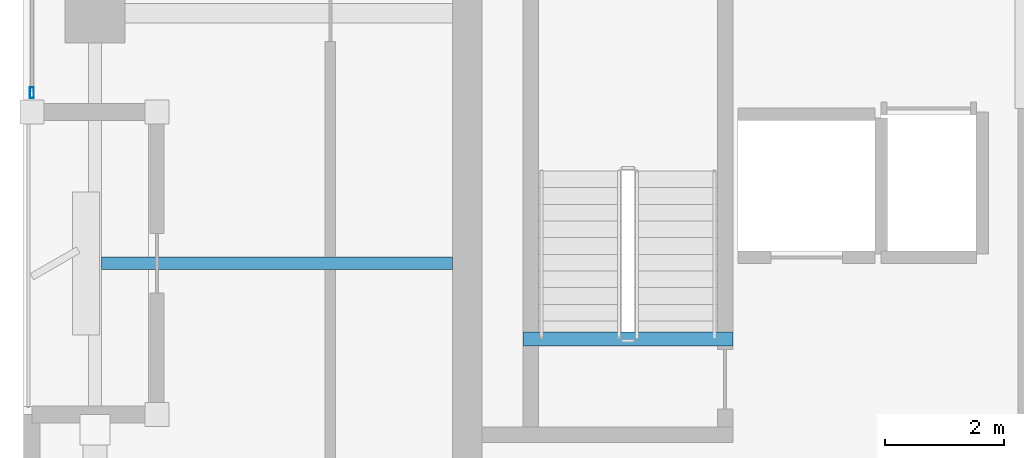
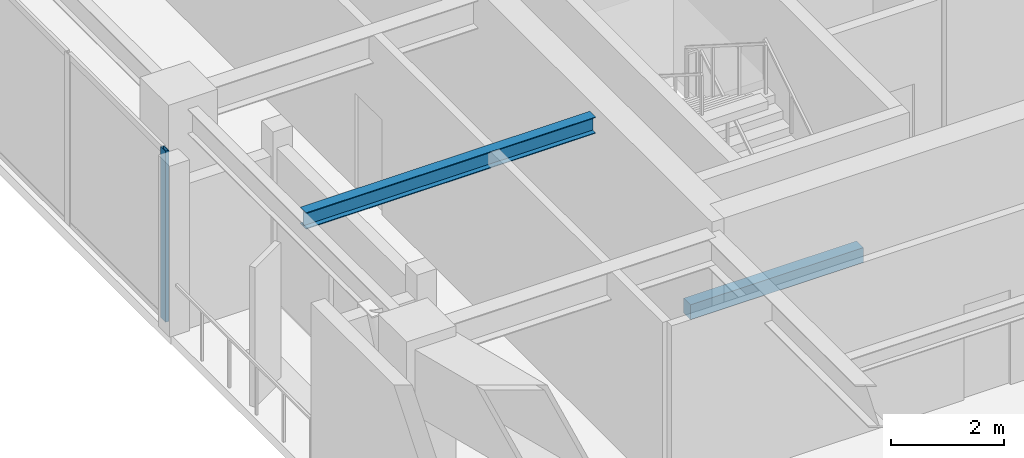
# One storey, part 2 of 15: 2 beams, 1 member, 1 element without a shape of its own.
"""IFC4 building model written with IfcOpenShell, lengths in metres."""

from ifc_helpers import new_model, si_unit, direction, frame, origin, origin_2d, place, context, subcontext, project, spatial, rectangle, hollow_rectangle, i_section, extrude, material, layer, layer_set, material_profile, profile_set, type_object, element, aggregate, save


model = new_model("IFC4")

# Units and contexts
model_context = context("Model", 3, precision=1e-05, world=origin(), true_north=direction((0.0, 1.0)))
body_context = subcontext(model_context, "Body", "Model", "MODEL_VIEW")
ifc_project = project(units=[si_unit("LENGTHUNIT", "METRE"), si_unit("AREAUNIT", "SQUARE_METRE"), si_unit("VOLUMEUNIT", "CUBIC_METRE"), si_unit("PLANEANGLEUNIT", "RADIAN"), si_unit("MASSUNIT", "GRAM", prefix="KILO")], contexts=[model_context])

# Site, building, storey
site_placement = place(None, origin())
site = spatial("IfcSite", under=ifc_project, at=site_placement, CompositionType="ELEMENT")
building_placement = place(site_placement, origin())
building = spatial("IfcBuilding", under=site, at=building_placement, Name="Kiyonajd Concourse Tower", CompositionType="ELEMENT")
storey_placement = place(building_placement, frame((0.0, 0.0, 270.60009765625)))
storey = spatial("IfcBuildingStorey", under=building, at=storey_placement, Name="L68", CompositionType="ELEMENT", Elevation=270.60009765625)

# Beams
ifc_material_1 = material(Name="Steel ASTM A992 Grade 50", Category="steel")
ifc_material_profile_1 = material_profile(ifc_material_1, i_section(OverallWidth=0.205078125, OverallDepth=0.35400390625, WebThickness=0.009521484375, FlangeThickness=0.016845703125, at=origin_2d()), Name="W360X79")
ifc_profile_set_1 = profile_set([ifc_material_profile_1], Name="Steel ASTM A992 Grade 50")
beam_type_1 = type_object("IfcBeamType", Name="BM-JST-360", PredefinedType="JOIST", material=ifc_profile_set_1)
beam_1_placement = place(storey_placement, frame((26.505615234375, 31.800048828125, 3.5029296875), z_axis=(1.0, 0.0, 0.0), x_axis=(0.0, 1.0, 0.0)))
element("IfcBeam", 1, at=beam_1_placement, inside=storey, type_object=beam_type_1, Name="L68 West Secondary Floor Joist", PredefinedType="JOIST", context=body_context, shape_type="SweptSolid", body=[
    extrude(i_section(OverallWidth=0.205078125, OverallDepth=0.35400390625, WebThickness=0.009521484375, FlangeThickness=0.016845703125, at=origin_2d()), origin(), (0.0, 0.0, 1.0), 5.894287109375),
])
ifc_material_2 = material(Name="Concrete C50/60", Category="concrete")
ifc_material_profile_2 = material_profile(ifc_material_2, rectangle(XDim=0.239990234375, YDim=0.320068359375, at=origin_2d()), Name="RCBM-240x320")
ifc_profile_set_2 = profile_set([ifc_material_profile_2], Name="Concrete C50/60")
beam_type_2 = type_object("IfcBeamType", Name="BM-LNT-250", PredefinedType="LINTEL", material=ifc_profile_set_2)
beam_2_placement = place(storey_placement, frame((33.590087890625, 30.530029296875, -0.16015625), z_axis=(1.0, 0.0, 0.0), x_axis=(0.0, 1.0, 0.0)))
element("IfcBeam", 2, at=beam_2_placement, inside=storey, type_object=beam_type_2, Name="L68 Stair ST1 Threshold Support Beam", PredefinedType="LINTEL", context=body_context, shape_type="SweptSolid", body=[
    extrude(rectangle(XDim=0.239990234375, YDim=0.320068359375, at=origin_2d()), origin(), (0.0, 0.0, 1.0), 3.52001953125),
])

# Curtain wall, member
ifc_material_3 = material(Name="Thermally Broken Anodised Aluminium", Category="aluminium")
ifc_layer = layer(ifc_material_3, 0.179931640625)
ifc_layer_set = layer_set([ifc_layer], Name="Thermally Broken Anodised Aluminium")
curtain_wall_type = type_object("IfcCurtainWallType", Name="CW-SYS-04", PredefinedType="NOTDEFINED", material=ifc_layer_set)
curtain_wall_placement = place(storey_placement, origin())
curtain_wall = element("IfcCurtainWall", 3, at=curtain_wall_placement, inside=storey, type_object=curtain_wall_type, Name="L68 Unitised Curtain Wall CW4", PredefinedType="NOTDEFINED")
ifc_material_profile_3 = material_profile(ifc_material_3, hollow_rectangle(XDim=0.06494140625, YDim=0.179931640625, WallThickness=0.00390625, at=origin_2d()), Name="MULL-65x180")
ifc_profile_set_3 = profile_set([ifc_material_profile_3], Name="Thermally Broken Anodised Aluminium")
member_type = type_object("IfcMemberType", Name="MB-CW-MULL1", PredefinedType="MULLION", material=ifc_profile_set_3)
member_placement = place(storey_placement, frame((25.340087890625, 34.66259765625, 0.0), z_axis=(0.0, 0.0, 1.0), x_axis=(-1.0, 0.0, 0.0)))
member = element("IfcMember", 4, at=member_placement, type_object=member_type, Name="CW4 mullion 1", PredefinedType="MULLION", context=body_context, shape_type="SweptSolid", body=[
    extrude(hollow_rectangle(XDim=0.06494140625, YDim=0.179931640625, WallThickness=0.00390625, at=origin_2d()), origin(), (0.0, 0.0, 1.0), 3.679931640625),
])
aggregate(curtain_wall, [member])

save(model, "model.ifc")
